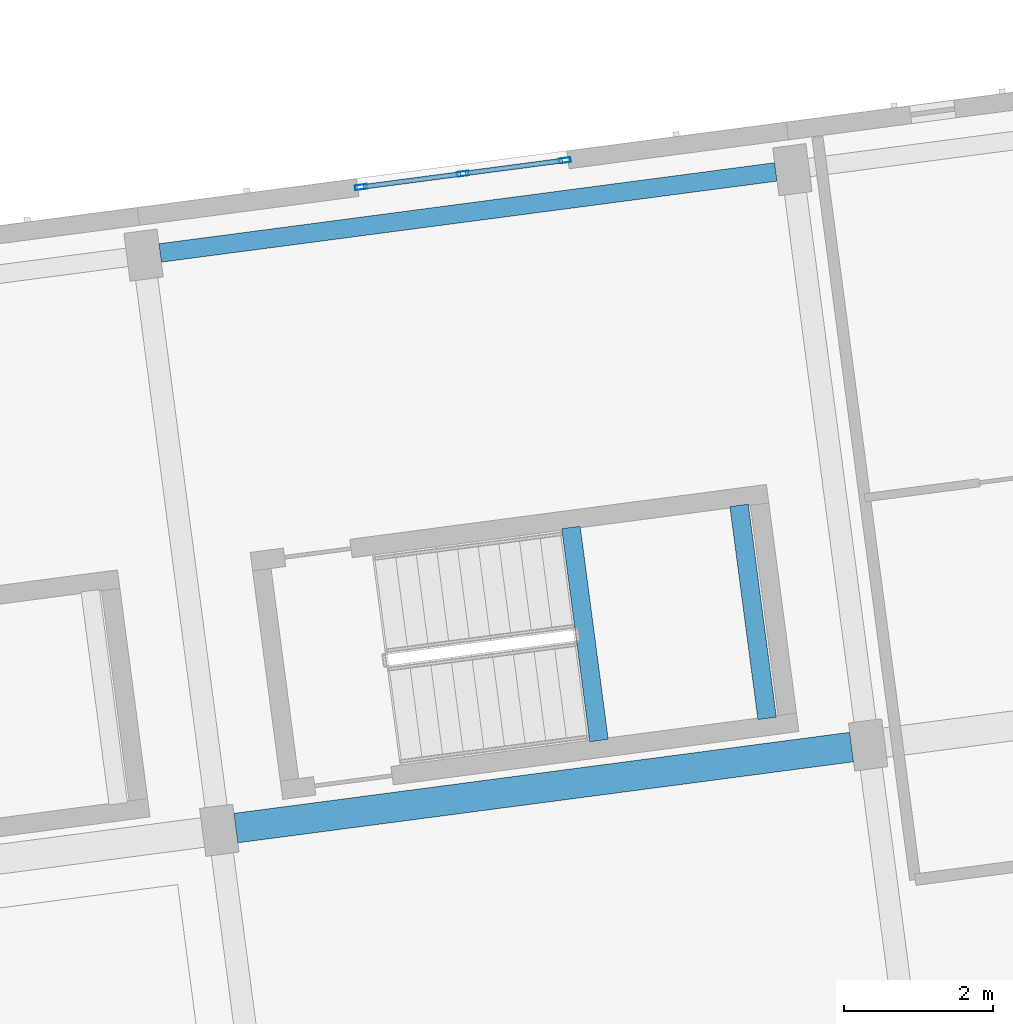
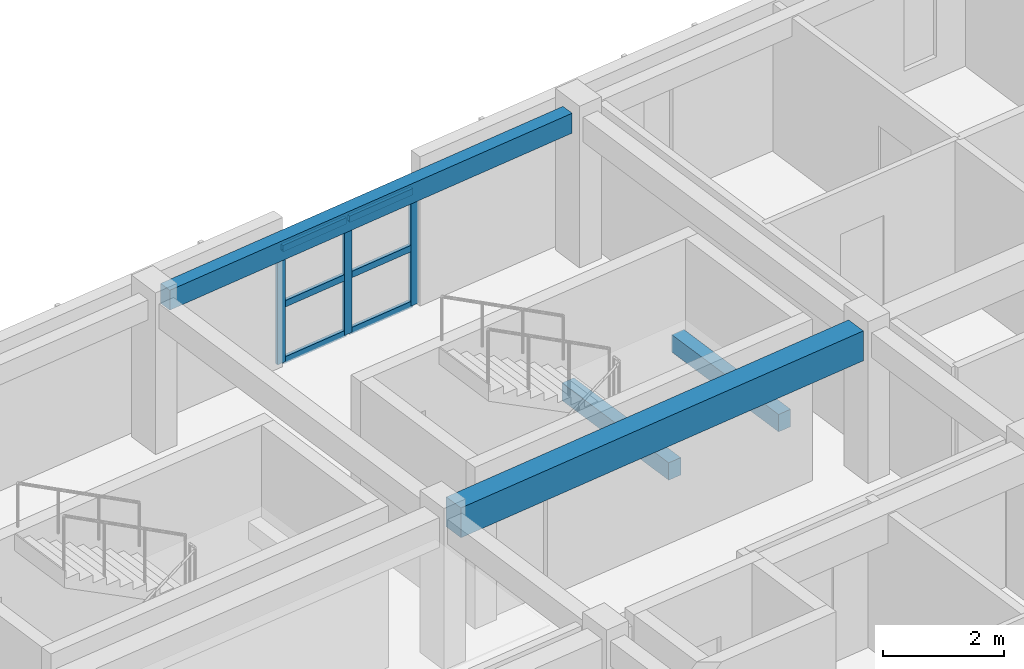
# One storey, part 5 of 34: 9 members, 4 beams, 1 element without a shape of its own.
"""IFC4 building model written with IfcOpenShell, lengths in metres."""

from ifc_helpers import new_model, si_unit, direction, frame, origin, origin_2d, place, context, subcontext, project, spatial, rectangle, hollow_rectangle, extrude, material, material_profile, profile_set, type_object, element, aggregate, save


model = new_model("IFC4")

# Units and contexts
model_context = context("Model", 3, precision=1e-05, world=origin(), true_north=direction((0.0, 1.0)))
body_context = subcontext(model_context, "Body", "Model", "MODEL_VIEW")
ifc_project = project(units=[si_unit("LENGTHUNIT", "METRE"), si_unit("AREAUNIT", "SQUARE_METRE"), si_unit("VOLUMEUNIT", "CUBIC_METRE"), si_unit("PLANEANGLEUNIT", "RADIAN"), si_unit("MASSUNIT", "GRAM", prefix="KILO")], contexts=[model_context])

# Site, building, storey
site_placement = place(None, origin())
site = spatial("IfcSite", under=ifc_project, at=site_placement, CompositionType="ELEMENT")
building_placement = place(site_placement, origin())
building = spatial("IfcBuilding", under=site, at=building_placement, Name="Kestramere Prow Commons", CompositionType="ELEMENT")
storey_placement = place(building_placement, frame((0.0, 0.0, 34.39990234375)))
storey = spatial("IfcBuildingStorey", under=building, at=storey_placement, Name="L10", CompositionType="ELEMENT", Elevation=34.39990234375)

# Beams
ifc_material_1 = material(Name="Precast concrete C40/50", Category="concrete")
ifc_material_profile_1 = material_profile(ifc_material_1, rectangle(XDim=0.39990234375, YDim=0.60009765625, at=origin_2d()), Name="PC-BM 400x600")
ifc_profile_set_1 = profile_set([ifc_material_profile_1], Name="Precast concrete C40/50")
beam_type_1 = type_object("IfcBeamType", Name="BM-A1 PC-BM 400x600", PredefinedType="BEAM", material=ifc_profile_set_1)
beam_1_placement = place(storey_placement, frame((27.280029296875, 86.42236328125, 2.7001953125), z_axis=(0.991445635283, 0.13052031366, 0.0), x_axis=(-0.13052031366, 0.991445635283, 0.0)))
element("IfcBeam", 1, at=beam_1_placement, inside=storey, type_object=beam_type_1, Name="Block A L10 Longitudinal Beam 3-3", PredefinedType="BEAM", context=body_context, shape_type="SweptSolid", body=[
    extrude(rectangle(XDim=0.39990234375, YDim=0.60009765625, at=origin_2d()), origin(), (0.0, 0.0, 1.0), 8.35009765625),
])
ifc_material_2 = material(Name="Concrete C40/50", Category="concrete")
ifc_material_profile_2 = material_profile(ifc_material_2, rectangle(XDim=0.25, YDim=0.35009765625, at=origin_2d()), Name="PC-BM 250x350")
ifc_profile_set_2 = profile_set([ifc_material_profile_2], Name="Concrete C40/50")
beam_type_2 = type_object("IfcBeamType", Name="BM-ST-TRIM", PredefinedType="BEAM", material=ifc_profile_set_2)
for number, where, z_axis, x_axis, name in (
    (2, (32.1630859375, 87.599609375, 1.25), (-0.130509140242, 0.99144710616, 0.0), (-0.99144710616, -0.130509140242, 0.0), "ST-A2 L10 Landing Trimmer Beam 1A"),
    (3, (34.423583984375, 87.897216796875, 1.25), (-0.130509140242, 0.99144710616, 0.0), (-0.99144710616, -0.130509140242, 0.0), "ST-A2 L10 Landing Trimmer Beam 1B"),
):
    element("IfcBeam", number, at=place(storey_placement, frame(where, z_axis=z_axis, x_axis=x_axis)), inside=storey, type_object=beam_type_2, Name=name, PredefinedType="BEAM", context=body_context, shape_type="SweptSolid", body=[
        extrude(rectangle(XDim=0.25, YDim=0.35009765625, at=origin_2d()), origin(), (0.0, 0.0, 1.0), 2.89013671875),
    ])

# Curtain wall, members
ifc_material_3 = material(Name="Anodised Aluminium and Low-E Glass", Category="aluminium")
curtain_wall_type = type_object("IfcCurtainWallType", Name="CW-03 Glazed Curtain Wall 2830x2320", PredefinedType="USERDEFINED", material=ifc_material_3)
curtain_wall_placement = place(storey_placement, origin())
curtain_wall = element("IfcCurtainWall", 4, at=curtain_wall_placement, inside=storey, type_object=curtain_wall_type, Name="Block A L10 Stairwell Vertical Glazing 3", ObjectType="GLAZED CURTAIN WALL", PredefinedType="USERDEFINED")
ifc_material_4 = material(Name="Anodised Aluminium 6063-T6", Category="aluminium")
ifc_material_profile_3 = material_profile(ifc_material_4, hollow_rectangle(XDim=0.06494140625, YDim=0.159912109375, WallThickness=0.00390625, at=origin_2d()), Name="ALU-MUL 65x160")
ifc_profile_set_3 = profile_set([ifc_material_profile_3], Name="Anodised Aluminium 6063-T6")
member_type_1 = type_object("IfcMemberType", Name="CW-MUL-65x160", PredefinedType="MULLION", material=ifc_profile_set_3)
member_1_placement = place(storey_placement, frame((28.962158203125, 95.04052734375, 0.0), z_axis=(0.0, 0.0, 1.0), x_axis=(-0.130526494555, 0.991444821571, 0.0)))
member_1 = element("IfcMember", 5, at=member_1_placement, type_object=member_type_1, Name="CW-03 mullion 1", PredefinedType="MULLION", context=body_context, shape_type="SweptSolid", body=[
    extrude(hollow_rectangle(XDim=0.06494140625, YDim=0.159912109375, WallThickness=0.00390625, at=origin_2d()), origin(), (0.0, 0.0, 1.0), 2.320068359375),
])
member_2_placement = place(storey_placement, frame((30.332763671875, 95.220947265625, 0.0), z_axis=(0.0, 0.0, 1.0), x_axis=(-0.130526494555, 0.991444821571, 0.0)))
member_2 = element("IfcMember", 6, at=member_2_placement, type_object=member_type_1, Name="CW-03 mullion 2", PredefinedType="MULLION", context=body_context, shape_type="SweptSolid", body=[
    extrude(hollow_rectangle(XDim=0.06494140625, YDim=0.159912109375, WallThickness=0.00390625, at=origin_2d()), origin(), (0.0, 0.0, 1.0), 2.320068359375),
])
member_3_placement = place(storey_placement, frame((31.703369140625, 95.4013671875, 0.0), z_axis=(0.0, 0.0, 1.0), x_axis=(-0.130526494555, 0.991444821571, 0.0)))
member_3 = element("IfcMember", 7, at=member_3_placement, type_object=member_type_1, Name="CW-03 mullion 3", PredefinedType="MULLION", context=body_context, shape_type="SweptSolid", body=[
    extrude(hollow_rectangle(XDim=0.06494140625, YDim=0.159912109375, WallThickness=0.00390625, at=origin_2d()), origin(), (0.0, 0.0, 1.0), 2.320068359375),
])
ifc_material_profile_4 = material_profile(ifc_material_4, hollow_rectangle(XDim=0.06494140625, YDim=0.1298828125, WallThickness=0.00390625, at=origin_2d()), Name="ALU-TRN 65x130")
ifc_profile_set_4 = profile_set([ifc_material_profile_4], Name="Anodised Aluminium 6063-T6")
member_type_2 = type_object("IfcMemberType", Name="CW-TRN-65x130", PredefinedType="USERDEFINED", material=ifc_profile_set_4)
member_4_placement = place(storey_placement, frame((28.994384765625, 95.044677734375, 0.03271484375), z_axis=(0.99142904707, 0.130646257605, 0.0), x_axis=(-0.130646257605, 0.99142904707, 0.0)))
member_4 = element("IfcMember", 8, at=member_4_placement, type_object=member_type_2, Name="CW-03 transom 1.1", ObjectType="TRANSOM", PredefinedType="USERDEFINED", context=body_context, shape_type="SweptSolid", body=[
    extrude(hollow_rectangle(XDim=0.06494140625, YDim=0.1298828125, WallThickness=0.00390625, at=origin_2d()), origin(), (0.0, 0.0, 1.0), 1.3173828125),
])
member_5_placement = place(storey_placement, frame((28.994384765625, 95.044677734375, 1.16015625), z_axis=(0.99142904707, 0.130646257605, 0.0), x_axis=(-0.130646257605, 0.99142904707, 0.0)))
member_5 = element("IfcMember", 9, at=member_5_placement, type_object=member_type_2, Name="CW-03 transom 1.2", ObjectType="TRANSOM", PredefinedType="USERDEFINED", context=body_context, shape_type="SweptSolid", body=[
    extrude(hollow_rectangle(XDim=0.06494140625, YDim=0.1298828125, WallThickness=0.00390625, at=origin_2d()), origin(), (0.0, 0.0, 1.0), 1.3173828125),
])
member_6_placement = place(storey_placement, frame((28.994384765625, 95.044677734375, 2.28759765625), z_axis=(0.99142904707, 0.130646257605, 0.0), x_axis=(-0.130646257605, 0.99142904707, 0.0)))
member_6 = element("IfcMember", 10, at=member_6_placement, type_object=member_type_2, Name="CW-03 transom 1.3", ObjectType="TRANSOM", PredefinedType="USERDEFINED", context=body_context, shape_type="SweptSolid", body=[
    extrude(hollow_rectangle(XDim=0.06494140625, YDim=0.1298828125, WallThickness=0.00390625, at=origin_2d()), origin(), (0.0, 0.0, 1.0), 1.3173828125),
])
member_7_placement = place(storey_placement, frame((30.364990234375, 95.225341796875, 0.03271484375), z_axis=(0.991453033969, 0.130464100171, 0.0), x_axis=(-0.130464100171, 0.991453033969, 0.0)))
member_7 = element("IfcMember", 11, at=member_7_placement, type_object=member_type_2, Name="CW-03 transom 2.1", ObjectType="TRANSOM", PredefinedType="USERDEFINED", context=body_context, shape_type="SweptSolid", body=[
    extrude(hollow_rectangle(XDim=0.06494140625, YDim=0.1298828125, WallThickness=0.00390625, at=origin_2d()), origin(), (0.0, 0.0, 1.0), 1.3173828125),
])
member_8_placement = place(storey_placement, frame((30.364990234375, 95.225341796875, 1.16015625), z_axis=(0.991453033969, 0.130464100171, 0.0), x_axis=(-0.130464100171, 0.991453033969, 0.0)))
member_8 = element("IfcMember", 12, at=member_8_placement, type_object=member_type_2, Name="CW-03 transom 2.2", ObjectType="TRANSOM", PredefinedType="USERDEFINED", context=body_context, shape_type="SweptSolid", body=[
    extrude(hollow_rectangle(XDim=0.06494140625, YDim=0.1298828125, WallThickness=0.00390625, at=origin_2d()), origin(), (0.0, 0.0, 1.0), 1.3173828125),
])
member_9_placement = place(storey_placement, frame((30.364990234375, 95.225341796875, 2.28759765625), z_axis=(0.991453033969, 0.130464100171, 0.0), x_axis=(-0.130464100171, 0.991453033969, 0.0)))
member_9 = element("IfcMember", 13, at=member_9_placement, type_object=member_type_2, Name="CW-03 transom 2.3", ObjectType="TRANSOM", PredefinedType="USERDEFINED", context=body_context, shape_type="SweptSolid", body=[
    extrude(hollow_rectangle(XDim=0.06494140625, YDim=0.1298828125, WallThickness=0.00390625, at=origin_2d()), origin(), (0.0, 0.0, 1.0), 1.3173828125),
])
aggregate(curtain_wall, [member_1, member_2, member_3, member_4, member_5, member_6, member_7, member_8, member_9])

# Beam
ifc_material_profile_5 = material_profile(ifc_material_1, rectangle(XDim=0.25, YDim=0.39990234375, at=origin_2d()), Name="PC-SP 250x400")
ifc_profile_set_5 = profile_set([ifc_material_profile_5], Name="Precast concrete C40/50")
beam_type_3 = type_object("IfcBeamType", Name="SP-EXT-01 PC-SP 250x400", PredefinedType="SPANDREL", material=ifc_profile_set_5)
beam_2_placement = place(storey_placement, frame((26.261962890625, 94.155517578125, 2.800048828125), z_axis=(0.991445635283, 0.13052031366, 0.0), x_axis=(-0.13052031366, 0.991445635283, 0.0)))
element("IfcBeam", 14, at=beam_2_placement, inside=storey, type_object=beam_type_3, Name="Block A L10 Longitudinal Beam 4-3", PredefinedType="SPANDREL", context=body_context, shape_type="SweptSolid", body=[
    extrude(rectangle(XDim=0.25, YDim=0.39990234375, at=origin_2d()), origin(), (0.0, 0.0, 1.0), 8.35009765625),
])

save(model, "model.ifc")
